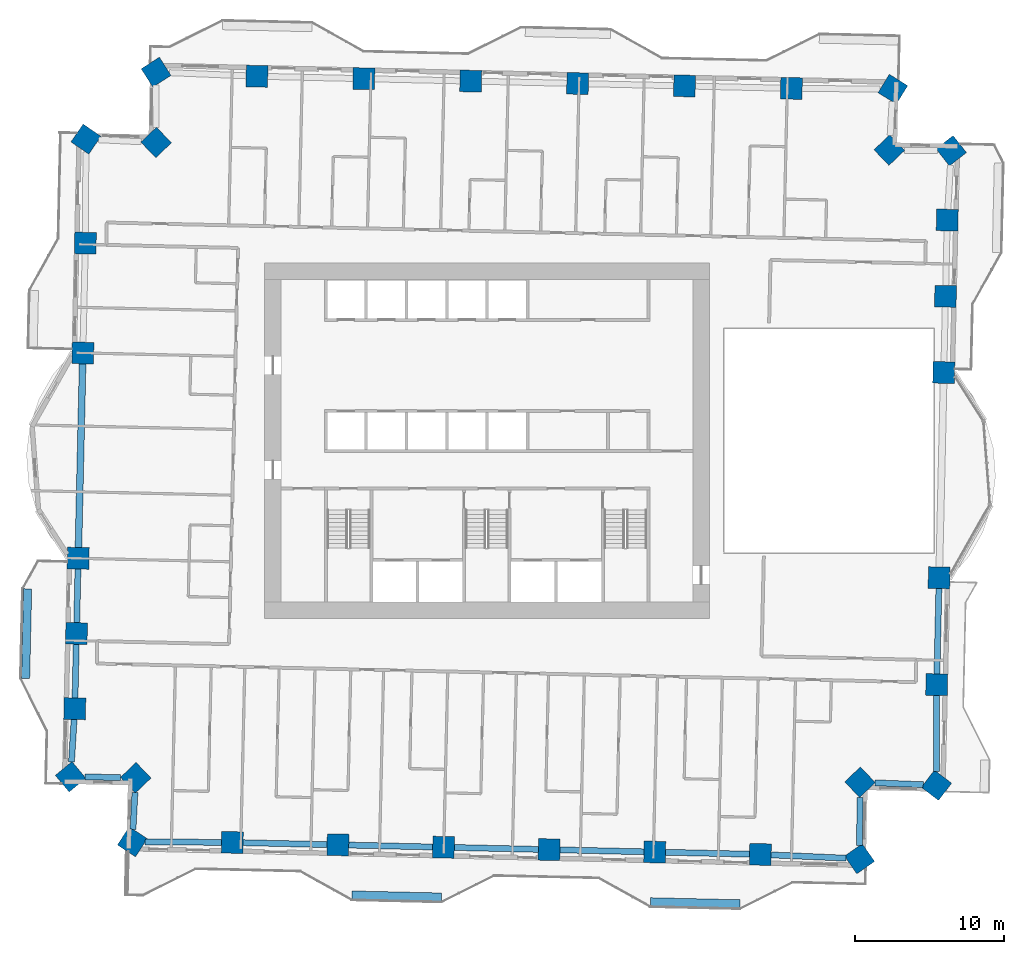
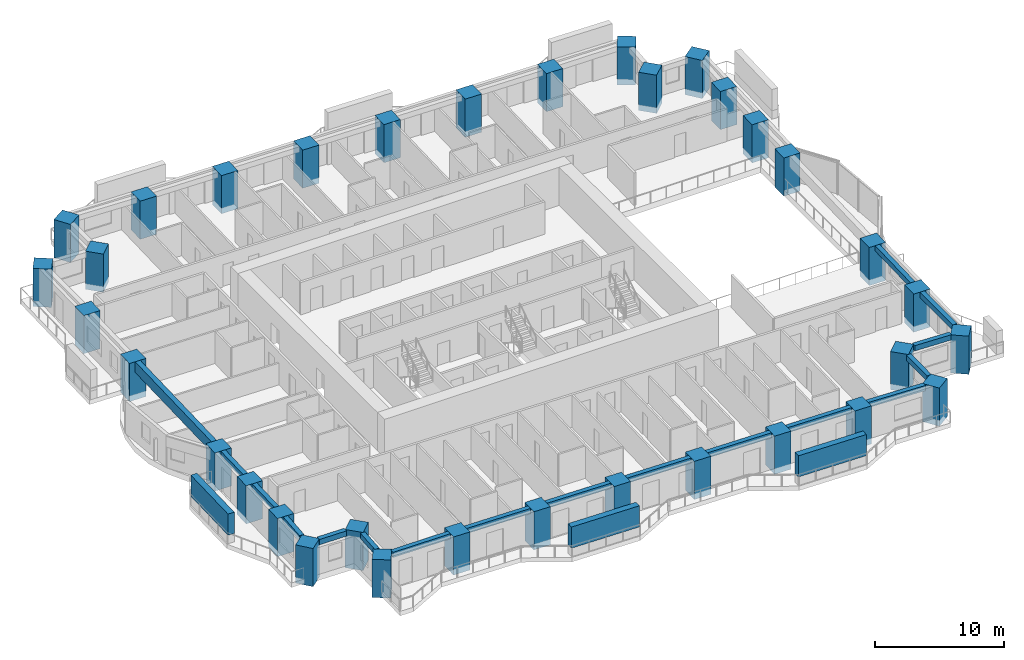
# One storey, part 1 of 18: 34 columns, 17 beams, 3 members.
"""IFC4 building model written with IfcOpenShell, lengths in metres."""

from ifc_helpers import new_model, si_unit, direction, frame, origin, origin_2d, place, context, subcontext, project, spatial, rectangle, extrude, material, material_profile, profile_set, type_object, element, save


model = new_model("IFC4")

# Units and contexts
model_context = context("Model", 3, precision=1e-05, world=origin(), true_north=direction((0.0, 1.0)))
body_context = subcontext(model_context, "Body", "Model", "MODEL_VIEW")
ifc_project = project(units=[si_unit("LENGTHUNIT", "METRE"), si_unit("AREAUNIT", "SQUARE_METRE"), si_unit("VOLUMEUNIT", "CUBIC_METRE"), si_unit("PLANEANGLEUNIT", "RADIAN"), si_unit("MASSUNIT", "GRAM", prefix="KILO")], contexts=[model_context])

# Site, building, storey
site_placement = place(None, origin())
site = spatial("IfcSite", under=ifc_project, at=site_placement, CompositionType="ELEMENT")
building_placement = place(site_placement, origin())
building = spatial("IfcBuilding", under=site, at=building_placement, Name="Mangrove Gate Tower", CompositionType="ELEMENT")
storey_placement = place(building_placement, frame((0.0, 0.0, 71.10009765625)))
storey = spatial("IfcBuildingStorey", under=building, at=storey_placement, Name="L17", CompositionType="ELEMENT", Elevation=71.10009765625)

# Columns
ifc_material_1 = material(Name="Concrete C70/85", Category="concrete")
ifc_material_profile_1 = material_profile(ifc_material_1, rectangle(XDim=1.449951171875, YDim=1.449951171875, at=origin_2d()))
ifc_profile_set_1 = profile_set([ifc_material_profile_1], Name="Concrete C70/85")
column_type = type_object("IfcColumnType", Name="Column RC 1450x1450 C70/85", PredefinedType="COLUMN", material=ifc_profile_set_1)
for number, where, z_axis, x_axis, name in (
    (1, (-27.39111328125, -7.869384765625, -0.550048828125), (0.0, 0.0, 1.0), (-0.022722615033, -0.999741808051, 0.0), "Column L17 W05"),
    (2, (-27.506103515625, -12.909423828125, -0.550048828125), (0.0, 0.0, 1.0), (-0.022712390043, -0.999742040398, 0.0), "Column L17 W06"),
    (3, (-27.6201171875, -17.949462890625, -0.550048828125), (0.0, 0.0, 1.0), (-0.022710139149, -0.999742091532, 0.0), "Column L17 W07"),
    (4, (-27.903076171875, -22.509765625, -0.550048828125), (0.0, 0.0, 1.0), (0.640243203999, -0.768172272172, 0.0), "Column L17 W08"),
    (5, (-23.536865234375, -22.572021484375, -0.550048828125), (0.0, 0.0, 1.0), (0.691018296422, -0.722837266617, 0.0), "Column L17 W09"),
    (6, (-23.76318359375, -26.865234375, -0.550048828125), (0.0, 0.0, 1.0), (0.837001319642, -0.547200868893, 0.0), "Column L17 S01"),
    (7, (-17.069580078125, -26.908203125, -0.550048828125), (0.0, 0.0, 1.0), (0.999742746705, -0.022681278839, 0.0), "Column L17 S02"),
    (8, (-9.99462890625, -27.068115234375, -0.550048828125), (0.0, 0.0, 1.0), (0.999742783124, -0.022679673549, 0.0), "Column L17 S03"),
    (9, (-2.919677734375, -27.229248046875, -0.550048828125), (0.0, 0.0, 1.0), (0.999742783124, -0.022679673549, 0.0), "Column L17 S04"),
    (10, (4.155517578125, -27.38916015625, -0.550048828125), (0.0, 0.0, 1.0), (0.999742746705, -0.022681278839, 0.0), "Column L17 S05"),
    (11, (11.2294921875, -27.55029296875, -0.550048828125), (0.0, 0.0, 1.0), (0.999741142154, -0.022751894086, 0.0), "Column L17 S06"),
    (12, (18.304443359375, -27.711181640625, -0.550048828125), (0.0, 0.0, 1.0), (0.999742783124, -0.022679673549, 0.0), "Column L17 S07"),
    (13, (24.947021484375, -28.002197265625, -0.550048828125), (0.0, 0.0, 1.0), (0.819023244747, 0.573760337218, 0.0), "Column L17 S08"),
    (14, (24.97998046875, -22.872802734375, -0.550048828125), (0.0, 0.0, 1.0), (0.722904645442, 0.690947808158, 0.0), "Column L17 E01"),
    (15, (30.10205078125, -23.075927734375, -0.550048828125), (0.0, 0.0, 1.0), (0.605733382364, 0.795667687851, 0.0), "Column L17 E02"),
    (16, (30.1171875, -16.338623046875, -0.550048828125), (0.0, 0.0, 1.0), (0.02268810132, 0.9997425919, 0.0), "Column L17 E03"),
    (17, (30.279296875, -9.177490234375, -0.550048828125), (0.0, 0.0, 1.0), (0.022664929308, 0.999743117495, 0.0), "Column L17 E04"),
    (18, (30.59130859375, 4.5693359375, -0.550048828125), (0.0, 0.0, 1.0), (0.022694906351, 0.999742437444, 0.0), "Column L17 E05"),
    (19, (30.707275390625, 9.676513671875, -0.550048828125), (0.0, 0.0, 1.0), (0.022708062743, 0.999742138697, 0.0), "Column L17 E06"),
    (20, (30.8232421875, 14.783447265625, -0.550048828125), (0.0, 0.0, 1.0), (0.022710278739, 0.999742088361, 0.0), "Column L17 E07"),
    (21, (31.09375, 19.42529296875, -0.550048828125), (0.0, 0.0, 1.0), (-0.617420768596, 0.786633074887, 0.0), "Column L17 E08"),
    (22, (26.94091796875, 19.468017578125, -0.550048828125), (0.0, 0.0, 1.0), (-0.69084800058, 0.723000027728, 0.0), "Column L17 E09"),
    (23, (27.17919921875, 23.551025390625, -0.550048828125), (0.0, 0.0, 1.0), (-0.85094209372, 0.525259510276, 0.0), "Column L17 N01"),
    (24, (20.383544921875, 23.605224609375, -0.550048828125), (0.0, 0.0, 1.0), (-0.999742555864, 0.022689689161, 0.0), "Column L17 N02"),
    (25, (13.2236328125, 23.76806640625, -0.550048828125), (0.0, 0.0, 1.0), (-0.9997425919, 0.02268810132, 0.0), "Column L17 N03"),
    (26, (6.0625, 23.93017578125, -0.550048828125), (0.0, 0.0, 1.0), (-0.9997425919, 0.02268810132, 0.0), "Column L17 N04"),
    (27, (-1.097412109375, 24.09326171875, -0.550048828125), (0.0, 0.0, 1.0), (-0.9997425919, 0.02268810132, 0.0), "Column L17 N05"),
    (28, (-8.258544921875, 24.255126953125, -0.550048828125), (0.0, 0.0, 1.0), (-0.9997425919, 0.02268810132, 0.0), "Column L17 N06"),
    (29, (-15.41845703125, 24.418212890625, -0.550048828125), (0.0, 0.0, 1.0), (-0.9997425919, 0.02268810132, 0.0), "Column L17 N07"),
    (30, (-22.173095703125, 24.69384765625, -0.550048828125), (0.0, 0.0, 1.0), (-0.843102323493, -0.537753170256, 0.0), "Column L17 N08"),
    (31, (-22.171142578125, 19.98193359375, -0.550048828125), (0.0, 0.0, 1.0), (-0.722910554479, -0.69094162577, 0.0), "Column L17 W01"),
    (32, (-26.871826171875, 20.205322265625, -0.550048828125), (0.0, 0.0, 1.0), (-0.564977588075, -0.825106250718, 0.0), "Column L17 W02"),
    (33, (-26.912109375, 13.238525390625, -0.550048828125), (0.0, 0.0, 1.0), (-0.022682831782, -0.999742711472, 0.0), "Column L17 W03"),
    (34, (-27.0791015625, 5.87744140625, -0.550048828125), (0.0, 0.0, 1.0), (-0.022686984597, -0.999742617242, 0.0), "Column L17 W04"),
):
    element("IfcColumn", number, at=place(storey_placement, frame(where, z_axis=z_axis, x_axis=x_axis)), inside=storey, type_object=column_type, Name=name, PredefinedType="COLUMN", context=body_context, shape_type="SweptSolid", body=[
        extrude(rectangle(XDim=1.449951171875, YDim=1.449951171875, at=origin_2d()), origin(), (0.0, 0.0, 1.0), 3.599853515625),
    ])

# Members
ifc_material_2 = material(Name="Planting on aluminium trellis", Category="aluminium")
ifc_material_profile_2 = material_profile(ifc_material_2, rectangle(XDim=0.550048828125, YDim=2.0, at=origin_2d()))
ifc_profile_set_2 = profile_set([ifc_material_profile_2], Name="Planting on aluminium trellis")
member_type = type_object("IfcMemberType", Name="Balcony greenery screen 550x2000", PredefinedType="USERDEFINED", material=ifc_profile_set_2)
member_1_placement = place(storey_placement, frame((-30.9150390625, -15.916015625, 1.7998046875), z_axis=(0.022662255828, 0.999743178102, 0.0), x_axis=(-0.999743178102, 0.022662255828, 0.0)))
element("IfcMember", 35, at=member_1_placement, inside=storey, type_object=member_type, Name="GREEN SCREEN L17 W1.1", ObjectType="PLANTING", PredefinedType="USERDEFINED", context=body_context, shape_type="SweptSolid", body=[
    extrude(rectangle(XDim=0.550048828125, YDim=2.0, at=origin_2d()), origin(), (0.0, 0.0, 1.0), 6.00048828125),
])
member_2_placement = place(storey_placement, frame((-9.055908203125, -30.430908203125, 1.7998046875), z_axis=(0.999743073592, -0.022666865795, 0.0), x_axis=(0.022666865795, 0.999743073592, 0.0)))
element("IfcMember", 36, at=member_2_placement, inside=storey, type_object=member_type, Name="GREEN SCREEN L17 S0.1", ObjectType="PLANTING", PredefinedType="USERDEFINED", context=body_context, shape_type="SweptSolid", body=[
    extrude(rectangle(XDim=0.550048828125, YDim=2.0, at=origin_2d()), origin(), (0.0, 0.0, 1.0), 5.999267578125),
])
member_3_placement = place(storey_placement, frame((10.93896484375, -30.884033203125, 1.7998046875), z_axis=(0.999739392852, -0.022828630714, 0.0), x_axis=(0.022828630714, 0.999739392852, 0.0)))
element("IfcMember", 37, at=member_3_placement, inside=storey, type_object=member_type, Name="GREEN SCREEN L17 S1.1", ObjectType="PLANTING", PredefinedType="USERDEFINED", context=body_context, shape_type="SweptSolid", body=[
    extrude(rectangle(XDim=0.550048828125, YDim=2.0, at=origin_2d()), origin(), (0.0, 0.0, 1.0), 5.99951171875),
])

# Beams
ifc_material_3 = material(Name="Concrete C50/60", Category="concrete")
ifc_material_profile_3 = material_profile(ifc_material_3, rectangle(XDim=0.39990234375, YDim=0.5, at=origin_2d()))
ifc_profile_set_3 = profile_set([ifc_material_profile_3], Name="Concrete C50/60")
beam_type_1 = type_object("IfcBeamType", Name="Edge beam RC 400x500 C50/60", PredefinedType="BEAM", material=ifc_profile_set_3)
for number, where, z_axis, x_axis, name in (
    (38, (-27.40771484375, -8.59423828125, 2.7998046875), (-0.022841856011, -0.99973909077, 0.0), (0.99973909077, -0.022841856011, 0.0), "Edge beam L17 00"),
    (39, (-27.5224609375, -13.63427734375, 2.7998046875), (-0.022638015856, -0.999743727281, 0.0), (0.999743727281, -0.022638015856, 0.0), "Edge beam L17 01"),
):
    element("IfcBeam", number, at=place(storey_placement, frame(where, z_axis=z_axis, x_axis=x_axis)), inside=storey, type_object=beam_type_1, Name=name, PredefinedType="BEAM", context=body_context, shape_type="SweptSolid", body=[
        extrude(rectangle(XDim=0.39990234375, YDim=0.5, at=origin_2d()), origin(), (0.0, 0.0, 1.0), 3.59130859375),
    ])
beam_1_placement = place(storey_placement, frame((-27.6650390625, -18.673583984375, 2.7998046875), z_axis=(-0.061924410758, -0.998080842093, 0.0), x_axis=(0.998080842093, -0.061924410758, 0.0)))
element("IfcBeam", 40, at=beam_1_placement, inside=storey, type_object=beam_type_1, Name="Edge beam L17 02", PredefinedType="BEAM", context=body_context, shape_type="SweptSolid", body=[
    extrude(rectangle(XDim=0.39990234375, YDim=0.5, at=origin_2d()), origin(), (0.0, 0.0, 1.0), 2.846435546875),
])
beam_2_placement = place(storey_placement, frame((-26.947998046875, -22.5234375, 2.7998046875), z_axis=(0.999898120372, -0.014274063103, 0.0), x_axis=(0.014274063103, 0.999898120372, 0.0)))
element("IfcBeam", 41, at=beam_2_placement, inside=storey, type_object=beam_type_1, Name="Edge beam L17 03", PredefinedType="BEAM", context=body_context, shape_type="SweptSolid", body=[
    extrude(rectangle(XDim=0.39990234375, YDim=0.5, at=origin_2d()), origin(), (0.0, 0.0, 1.0), 2.39453125),
])
beam_3_placement = place(storey_placement, frame((-23.58935546875, -23.56640625, 2.7998046875), z_axis=(-0.052693998779, -0.998610706178, 0.0), x_axis=(0.998610706178, -0.052693998779, 0.0)))
element("IfcBeam", 42, at=beam_3_placement, inside=storey, type_object=beam_type_1, Name="Edge beam L17 04", PredefinedType="BEAM", context=body_context, shape_type="SweptSolid", body=[
    extrude(rectangle(XDim=0.39990234375, YDim=0.5, at=origin_2d()), origin(), (0.0, 0.0, 1.0), 2.46484375),
])
beam_4_placement = place(storey_placement, frame((-22.900634765625, -26.87060546875, 2.7998046875), z_axis=(0.999979167098, -0.006454871739, 0.0), x_axis=(0.006454871739, 0.999979167098, 0.0)))
element("IfcBeam", 43, at=beam_4_placement, inside=storey, type_object=beam_type_1, Name="Edge beam L17 05", PredefinedType="BEAM", context=body_context, shape_type="SweptSolid", body=[
    extrude(rectangle(XDim=0.39990234375, YDim=0.5, at=origin_2d()), origin(), (0.0, 0.0, 1.0), 5.10595703125),
])
beam_5_placement = place(storey_placement, frame((-16.3447265625, -26.924560546875, 2.7998046875), z_axis=(0.999744449755, -0.022606087337, 0.0), x_axis=(0.022606087337, 0.999744449755, 0.0)))
element("IfcBeam", 44, at=beam_5_placement, inside=storey, type_object=beam_type_1, Name="Edge beam L17 06", PredefinedType="BEAM", context=body_context, shape_type="SweptSolid", body=[
    extrude(rectangle(XDim=0.39990234375, YDim=0.5, at=origin_2d()), origin(), (0.0, 0.0, 1.0), 5.626708984375),
])
for number, where, z_axis, x_axis, name in (
    (45, (-9.269775390625, -27.084716796875, 2.7998046875), (0.999741521857, -0.022735203431, 0.0), (0.022735203431, 0.999741521857, 0.0), "Edge beam L17 07"),
    (46, (-2.19482421875, -27.24560546875, 2.7998046875), (0.999744471927, -0.022605106756, 0.0), (0.022605106756, 0.999744471927, 0.0), "Edge beam L17 08"),
):
    element("IfcBeam", number, at=place(storey_placement, frame(where, z_axis=z_axis, x_axis=x_axis)), inside=storey, type_object=beam_type_1, Name=name, PredefinedType="BEAM", context=body_context, shape_type="SweptSolid", body=[
        extrude(rectangle(XDim=0.39990234375, YDim=0.5, at=origin_2d()), origin(), (0.0, 0.0, 1.0), 5.626953125),
    ])
beam_6_placement = place(storey_placement, frame((4.88037109375, -27.40576171875, 2.7998046875), z_axis=(0.999741409687, -0.022740135377, 0.0), x_axis=(0.022740135377, 0.999741409687, 0.0)))
element("IfcBeam", 47, at=beam_6_placement, inside=storey, type_object=beam_type_1, Name="Edge beam L17 09", PredefinedType="BEAM", context=body_context, shape_type="SweptSolid", body=[
    extrude(rectangle(XDim=0.39990234375, YDim=0.5, at=origin_2d()), origin(), (0.0, 0.0, 1.0), 5.625732421875),
])
beam_7_placement = place(storey_placement, frame((11.954345703125, -27.566650390625, 2.7998046875), z_axis=(0.999741499429, -0.022736189649, 0.0), x_axis=(0.022736189649, 0.999741499429, 0.0)))
element("IfcBeam", 48, at=beam_7_placement, inside=storey, type_object=beam_type_1, Name="Edge beam L17 10", PredefinedType="BEAM", context=body_context, shape_type="SweptSolid", body=[
    extrude(rectangle(XDim=0.39990234375, YDim=0.5, at=origin_2d()), origin(), (0.0, 0.0, 1.0), 5.626708984375),
])
beam_8_placement = place(storey_placement, frame((19.02880859375, -27.742919921875, 2.7998046875), z_axis=(0.999041944895, -0.043762910562, 0.0), x_axis=(0.043762910562, 0.999041944895, 0.0)))
element("IfcBeam", 49, at=beam_8_placement, inside=storey, type_object=beam_type_1, Name="Edge beam L17 11", PredefinedType="BEAM", context=body_context, shape_type="SweptSolid", body=[
    extrude(rectangle(XDim=0.39990234375, YDim=0.5, at=origin_2d()), origin(), (0.0, 0.0, 1.0), 5.009765625),
])
beam_9_placement = place(storey_placement, frame((24.95263671875, -27.113037109375, 2.7998046875), z_axis=(0.006498275971, 0.999978885982, 0.0), x_axis=(-0.999978885982, 0.006498275971, 0.0)))
element("IfcBeam", 50, at=beam_9_placement, inside=storey, type_object=beam_type_1, Name="Edge beam L17 12", PredefinedType="BEAM", context=body_context, shape_type="SweptSolid", body=[
    extrude(rectangle(XDim=0.39990234375, YDim=0.5, at=origin_2d()), origin(), (0.0, 0.0, 1.0), 3.23095703125),
])
beam_10_placement = place(storey_placement, frame((25.987548828125, -22.912841796875, 2.7998046875), z_axis=(0.999216566217, -0.039575924467, 0.0), x_axis=(0.039575924467, 0.999216566217, 0.0)))
element("IfcBeam", 51, at=beam_10_placement, inside=storey, type_object=beam_type_1, Name="Edge beam L17 13", PredefinedType="BEAM", context=body_context, shape_type="SweptSolid", body=[
    extrude(rectangle(XDim=0.39990234375, YDim=0.5, at=origin_2d()), origin(), (0.0, 0.0, 1.0), 3.232421875),
])
beam_11_placement = place(storey_placement, frame((30.104248046875, -22.166259765625, 2.7998046875), z_axis=(0.002200951607, 0.999997577903, 0.0), x_axis=(-0.999997577903, 0.002200951607, 0.0)))
element("IfcBeam", 52, at=beam_11_placement, inside=storey, type_object=beam_type_1, Name="Edge beam L17 14", PredefinedType="BEAM", context=body_context, shape_type="SweptSolid", body=[
    extrude(rectangle(XDim=0.39990234375, YDim=0.5, at=origin_2d()), origin(), (0.0, 0.0, 1.0), 5.1025390625),
])
beam_12_placement = place(storey_placement, frame((30.133544921875, -15.61376953125, 2.7998046875), z_axis=(0.022606856661, 0.999744432359, 0.0), x_axis=(-0.999744432359, 0.022606856661, 0.0)))
element("IfcBeam", 53, at=beam_12_placement, inside=storey, type_object=beam_type_1, Name="Edge beam L17 15", PredefinedType="BEAM", context=body_context, shape_type="SweptSolid", body=[
    extrude(rectangle(XDim=0.39990234375, YDim=0.5, at=origin_2d()), origin(), (0.0, 0.0, 1.0), 5.712890625),
])
ifc_material_4 = material(Name="Concrete C50/60", Category="concrete")
ifc_material_profile_4 = material_profile(ifc_material_4, rectangle(XDim=0.449951171875, YDim=1.0, at=origin_2d()))
ifc_profile_set_4 = profile_set([ifc_material_profile_4], Name="Concrete C50/60")
beam_type_2 = type_object("IfcBeamType", Name="Edge beam RC 450x1000 C50/60", PredefinedType="BEAM", material=ifc_profile_set_4)
beam_13_placement = place(storey_placement, frame((-27.095703125, 5.15283203125, 2.5498046875), z_axis=(-0.022685788302, -0.999742644389, 0.0), x_axis=(0.999742644389, -0.022685788302, 0.0)))
element("IfcBeam", 54, at=beam_13_placement, inside=storey, type_object=beam_type_2, Name="Edge beam L17 33", PredefinedType="BEAM", context=body_context, shape_type="SweptSolid", body=[
    extrude(rectangle(XDim=0.449951171875, YDim=1.0, at=origin_2d()), origin(), (0.0, 0.0, 1.0), 12.30078125),
])

save(model, "model.ifc")
